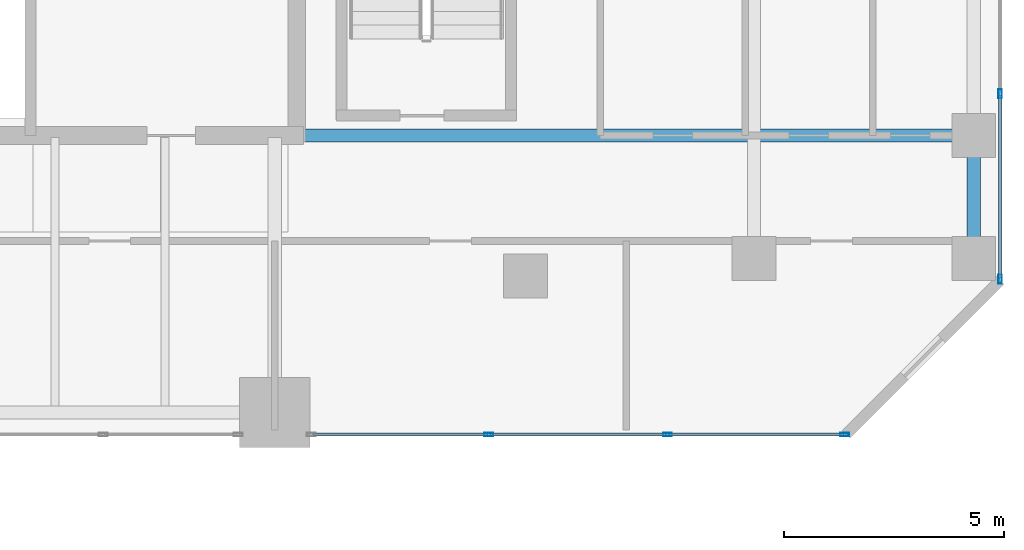
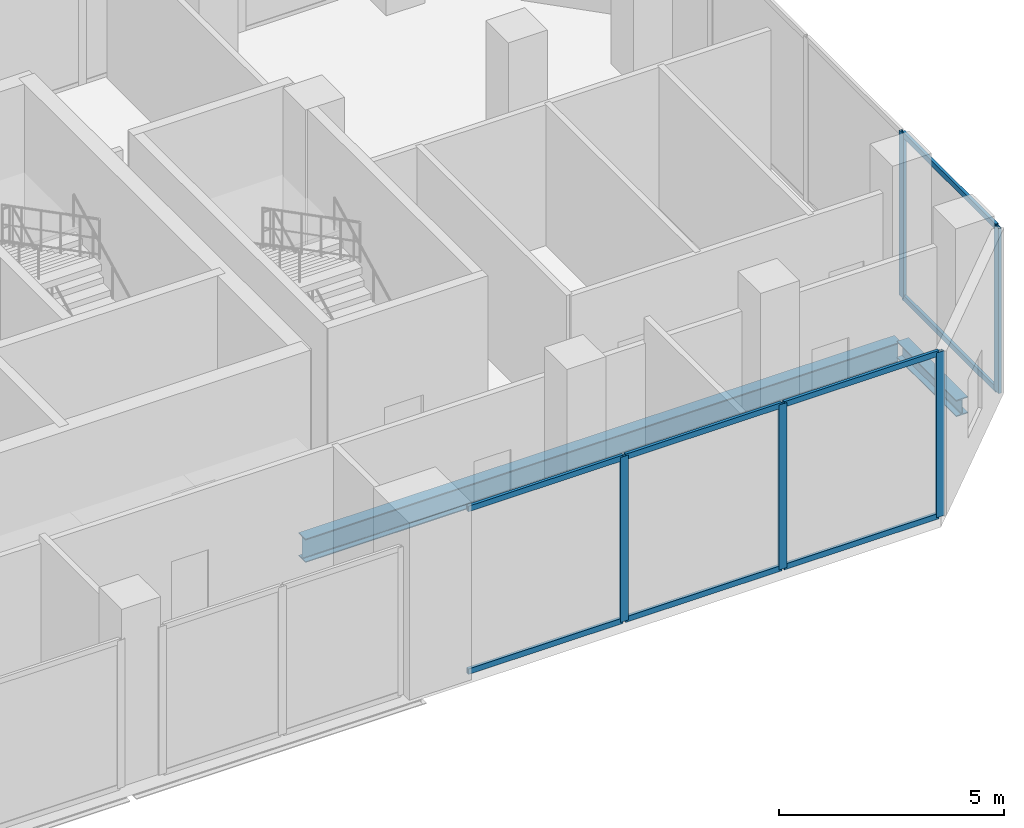
# One storey, part 11 of 24: 13 members, 2 beams, 2 elements without a shape of their own.
"""IFC4 building model written with IfcOpenShell, lengths in metres."""

from ifc_helpers import new_model, si_unit, direction, frame, origin, origin_2d, place, context, subcontext, project, spatial, hollow_rectangle, i_section, extrude, material, layer, layer_set, material_profile, profile_set, type_object, element, aggregate, save


model = new_model("IFC4")

# Units and contexts
model_context = context("Model", 3, precision=1e-05, world=origin(), true_north=direction((0.0, 1.0)))
body_context = subcontext(model_context, "Body", "Model", "MODEL_VIEW")
ifc_project = project(units=[si_unit("LENGTHUNIT", "METRE"), si_unit("AREAUNIT", "SQUARE_METRE"), si_unit("VOLUMEUNIT", "CUBIC_METRE"), si_unit("PLANEANGLEUNIT", "RADIAN"), si_unit("MASSUNIT", "GRAM", prefix="KILO")], contexts=[model_context])

# Site, building, storey
site_placement = place(None, origin())
site = spatial("IfcSite", under=ifc_project, at=site_placement, CompositionType="ELEMENT")
building_placement = place(site_placement, origin())
building = spatial("IfcBuilding", under=site, at=building_placement, Name="Catumbela Crestline Tower", CompositionType="ELEMENT")
storey_placement = place(building_placement, frame((0.0, 0.0, 11.1)))
storey = spatial("IfcBuildingStorey", under=building, at=storey_placement, Name="L02", CompositionType="ELEMENT", Elevation=11.1)

# Beam
ifc_material_1 = material(Name="Structural steel S355J2", Category="steel")
ifc_material_profile_1 = material_profile(ifc_material_1, i_section(OverallWidth=0.3, OverallDepth=0.64, WebThickness=0.0135, FlangeThickness=0.026, FilletRadius=0.027, at=origin_2d()), Name="HEA 650")
ifc_profile_set_1 = profile_set([ifc_material_profile_1], Name="Structural steel S355J2")
beam_type_1 = type_object("IfcBeamType", Name="BG-HEA650", PredefinedType="BEAM", material=ifc_profile_set_1)
beam_1_placement = place(storey_placement, frame((40.05, 30.8, -0.64), z_axis=(1.0, 0.0, 0.0), x_axis=(0.0, 1.0, 0.0)))
element("IfcBeam", 1, at=beam_1_placement, inside=storey, type_object=beam_type_1, Name="L02 Beam BM-L02-M10", PredefinedType="BEAM", context=body_context, shape_type="SweptSolid", body=[
    extrude(i_section(OverallWidth=0.3, OverallDepth=0.64, WebThickness=0.0135, FlangeThickness=0.026, FilletRadius=0.027, at=origin_2d()), origin(), (0.0, 0.0, 1.0), 15.27),
])

# Curtain wall, members
ifc_material_2 = material(Name="Aluminium alloy AW-6060-T66", Category="aluminium")
ifc_layer = layer(ifc_material_2, 0.18, Name="Aluminium alloy AW-6060-T66")
ifc_layer_set = layer_set([ifc_layer], Name="Aluminium alloy AW-6060-T66")
curtain_wall_type = type_object("IfcCurtainWallType", Name="CWS-POD", PredefinedType="USERDEFINED", material=ifc_layer_set)
curtain_wall_1_placement = place(storey_placement, origin())
curtain_wall_1 = element("IfcCurtainWall", 2, at=curtain_wall_1_placement, inside=storey, type_object=curtain_wall_type, Name="L02 Stick Curtain Wall CW-L02-E3S3", ObjectType="STICK", PredefinedType="USERDEFINED")
ifc_material_profile_2 = material_profile(ifc_material_2, hollow_rectangle(XDim=0.075, YDim=0.2, WallThickness=0.005, at=origin_2d()), Name="ALU 200x75x5")
ifc_profile_set_2 = profile_set([ifc_material_profile_2], Name="Aluminium alloy AW-6060-T66")
member_type_1 = type_object("IfcMemberType", Name="MUL-200X75", PredefinedType="MULLION", material=ifc_profile_set_2)
member_1_placement = place(storey_placement, frame((44.3667, 24.0, 0.0), z_axis=(0.0, 0.0, 1.0), x_axis=(0.0, 1.0, 0.0)))
member_1 = element("IfcMember", 3, at=member_1_placement, type_object=member_type_1, Name="CWS-POD mullion 2", PredefinedType="MULLION", context=body_context, shape_type="SweptSolid", body=[
    extrude(hollow_rectangle(XDim=0.075, YDim=0.2, WallThickness=0.005, at=origin_2d()), origin(), (0.0, 0.0, 1.0), 4.47),
])
member_2_placement = place(storey_placement, frame((48.4333, 24.0, 0.0), z_axis=(0.0, 0.0, 1.0), x_axis=(0.0, 1.0, 0.0)))
member_2 = element("IfcMember", 4, at=member_2_placement, type_object=member_type_1, Name="CWS-POD mullion 3", PredefinedType="MULLION", context=body_context, shape_type="SweptSolid", body=[
    extrude(hollow_rectangle(XDim=0.075, YDim=0.2, WallThickness=0.005, at=origin_2d()), origin(), (0.0, 0.0, 1.0), 4.47),
])
member_3_placement = place(storey_placement, frame((52.4675, 24.0, 0.0), z_axis=(0.0, 0.0, 1.0), x_axis=(0.0, 1.0, 0.0)))
member_3 = element("IfcMember", 5, at=member_3_placement, type_object=member_type_1, Name="CWS-POD mullion 4", PredefinedType="MULLION", context=body_context, shape_type="SweptSolid", body=[
    extrude(hollow_rectangle(XDim=0.075, YDim=0.2, WallThickness=0.005, at=origin_2d()), origin(), (0.0, 0.0, 1.0), 4.47),
])

curtain_wall_2_placement = place(storey_placement, origin())
curtain_wall_2 = element("IfcCurtainWall", 6, at=curtain_wall_2_placement, inside=storey, type_object=curtain_wall_type, Name="L02 Stick Curtain Wall CW-L02-E5S1", ObjectType="STICK", PredefinedType="USERDEFINED")
member_4_placement = place(storey_placement, frame((56.0, 27.5325, 0.0), z_axis=(0.0, 0.0, 1.0), x_axis=(-1.0, 0.0, 0.0)))
member_4 = element("IfcMember", 7, at=member_4_placement, type_object=member_type_1, Name="CWS-POD mullion 1", PredefinedType="MULLION", context=body_context, shape_type="SweptSolid", body=[
    extrude(hollow_rectangle(XDim=0.075, YDim=0.2, WallThickness=0.005, at=origin_2d()), origin(), (0.0, 0.0, 1.0), 4.47),
])
member_5_placement = place(storey_placement, frame((56.0, 31.75, 0.0), z_axis=(0.0, 0.0, 1.0), x_axis=(-1.0, 0.0, 0.0)))
member_5 = element("IfcMember", 8, at=member_5_placement, type_object=member_type_1, Name="CWS-POD mullion 2", PredefinedType="MULLION", context=body_context, shape_type="SweptSolid", body=[
    extrude(hollow_rectangle(XDim=0.075, YDim=0.2, WallThickness=0.005, at=origin_2d()), origin(), (0.0, 0.0, 1.0), 4.47),
])

# Beam
ifc_material_profile_3 = material_profile(ifc_material_1, i_section(OverallWidth=0.3, OverallDepth=0.45, WebThickness=0.014, FlangeThickness=0.026, FilletRadius=0.027, at=origin_2d()), Name="HEB 450")
ifc_profile_set_3 = profile_set([ifc_material_profile_3], Name="Structural steel S355J2")
beam_type_2 = type_object("IfcBeamType", Name="BS-HEB450", PredefinedType="SPANDREL", material=ifc_profile_set_3)
beam_2_placement = place(storey_placement, frame((55.4, 28.08, -0.545), z_axis=(0.0, 1.0, 0.0), x_axis=(-1.0, 0.0, 0.0)))
element("IfcBeam", 9, at=beam_2_placement, inside=storey, type_object=beam_type_2, Name="L02 Spandrel SP-L02-SN35", PredefinedType="SPANDREL", context=body_context, shape_type="SweptSolid", body=[
    extrude(i_section(OverallWidth=0.3, OverallDepth=0.45, WebThickness=0.014, FlangeThickness=0.026, FilletRadius=0.027, at=origin_2d()), origin(), (0.0, 0.0, 1.0), 2.64),
])

# Member
ifc_material_profile_4 = material_profile(ifc_material_2, hollow_rectangle(XDim=0.075, YDim=0.15, WallThickness=0.0045, at=origin_2d()), Name="ALU 150x75x4.5")
ifc_profile_set_4 = profile_set([ifc_material_profile_4], Name="Aluminium alloy AW-6060-T66")
member_type_2 = type_object("IfcMemberType", Name="TRN-150X75", PredefinedType="USERDEFINED", material=ifc_profile_set_4)
member_6_placement = place(storey_placement, frame((40.365, 24.0, 0.03), z_axis=(1.0, 0.0, 0.0), x_axis=(0.0, 1.0, 0.0)))
member_6 = element("IfcMember", 10, at=member_6_placement, type_object=member_type_2, Name="CWS-POD transom 1.1", ObjectType="TRANSOM", PredefinedType="USERDEFINED", context=body_context, shape_type="SweptSolid", body=[
    extrude(hollow_rectangle(XDim=0.075, YDim=0.15, WallThickness=0.0045, at=origin_2d()), origin(), (0.0, 0.0, 1.0), 3.9692),
])

member_7_placement = place(storey_placement, frame((40.365, 24.0, 4.44), z_axis=(1.0, 0.0, 0.0), x_axis=(0.0, 1.0, 0.0)))
member_7 = element("IfcMember", 11, at=member_7_placement, type_object=member_type_2, Name="CWS-POD transom 1.2", ObjectType="TRANSOM", PredefinedType="USERDEFINED", context=body_context, shape_type="SweptSolid", body=[
    extrude(hollow_rectangle(XDim=0.075, YDim=0.15, WallThickness=0.0045, at=origin_2d()), origin(), (0.0, 0.0, 1.0), 3.9692),
])

member_8_placement = place(storey_placement, frame((44.3992, 24.0, 0.03), z_axis=(1.0, 0.0, 0.0), x_axis=(0.0, 1.0, 0.0)))
member_8 = element("IfcMember", 12, at=member_8_placement, type_object=member_type_2, Name="CWS-POD transom 2.1", ObjectType="TRANSOM", PredefinedType="USERDEFINED", context=body_context, shape_type="SweptSolid", body=[
    extrude(hollow_rectangle(XDim=0.075, YDim=0.15, WallThickness=0.0045, at=origin_2d()), origin(), (0.0, 0.0, 1.0), 4.0016),
])

member_9_placement = place(storey_placement, frame((44.3992, 24.0, 4.44), z_axis=(1.0, 0.0, 0.0), x_axis=(0.0, 1.0, 0.0)))
member_9 = element("IfcMember", 13, at=member_9_placement, type_object=member_type_2, Name="CWS-POD transom 2.2", ObjectType="TRANSOM", PredefinedType="USERDEFINED", context=body_context, shape_type="SweptSolid", body=[
    extrude(hollow_rectangle(XDim=0.075, YDim=0.15, WallThickness=0.0045, at=origin_2d()), origin(), (0.0, 0.0, 1.0), 4.0016),
])

member_10_placement = place(storey_placement, frame((48.4658, 24.0, 0.03), z_axis=(1.0, 0.0, 0.0), x_axis=(0.0, 1.0, 0.0)))
member_10 = element("IfcMember", 14, at=member_10_placement, type_object=member_type_2, Name="CWS-POD transom 3.1", ObjectType="TRANSOM", PredefinedType="USERDEFINED", context=body_context, shape_type="SweptSolid", body=[
    extrude(hollow_rectangle(XDim=0.075, YDim=0.15, WallThickness=0.0045, at=origin_2d()), origin(), (0.0, 0.0, 1.0), 3.9692),
])

member_11_placement = place(storey_placement, frame((48.4658, 24.0, 4.44), z_axis=(1.0, 0.0, 0.0), x_axis=(0.0, 1.0, 0.0)))
member_11 = element("IfcMember", 15, at=member_11_placement, type_object=member_type_2, Name="CWS-POD transom 3.2", ObjectType="TRANSOM", PredefinedType="USERDEFINED", context=body_context, shape_type="SweptSolid", body=[
    extrude(hollow_rectangle(XDim=0.075, YDim=0.15, WallThickness=0.0045, at=origin_2d()), origin(), (0.0, 0.0, 1.0), 3.9692),
])

aggregate(curtain_wall_1, [member_1, member_2, member_3, member_6, member_7, member_8, member_9, member_10, member_11])

member_12_placement = place(storey_placement, frame((56.0, 27.565, 0.03), z_axis=(0.0, 1.0, 0.0), x_axis=(-1.0, 0.0, 0.0)))
member_12 = element("IfcMember", 16, at=member_12_placement, type_object=member_type_2, Name="CWS-POD transom 1.1", ObjectType="TRANSOM", PredefinedType="USERDEFINED", context=body_context, shape_type="SweptSolid", body=[
    extrude(hollow_rectangle(XDim=0.075, YDim=0.15, WallThickness=0.0045, at=origin_2d()), origin(), (0.0, 0.0, 1.0), 4.1525),
])

member_13_placement = place(storey_placement, frame((56.0, 27.565, 4.44), z_axis=(0.0, 1.0, 0.0), x_axis=(-1.0, 0.0, 0.0)))
member_13 = element("IfcMember", 17, at=member_13_placement, type_object=member_type_2, Name="CWS-POD transom 1.2", ObjectType="TRANSOM", PredefinedType="USERDEFINED", context=body_context, shape_type="SweptSolid", body=[
    extrude(hollow_rectangle(XDim=0.075, YDim=0.15, WallThickness=0.0045, at=origin_2d()), origin(), (0.0, 0.0, 1.0), 4.1525),
])

aggregate(curtain_wall_2, [member_4, member_5, member_12, member_13])

save(model, "model.ifc")
